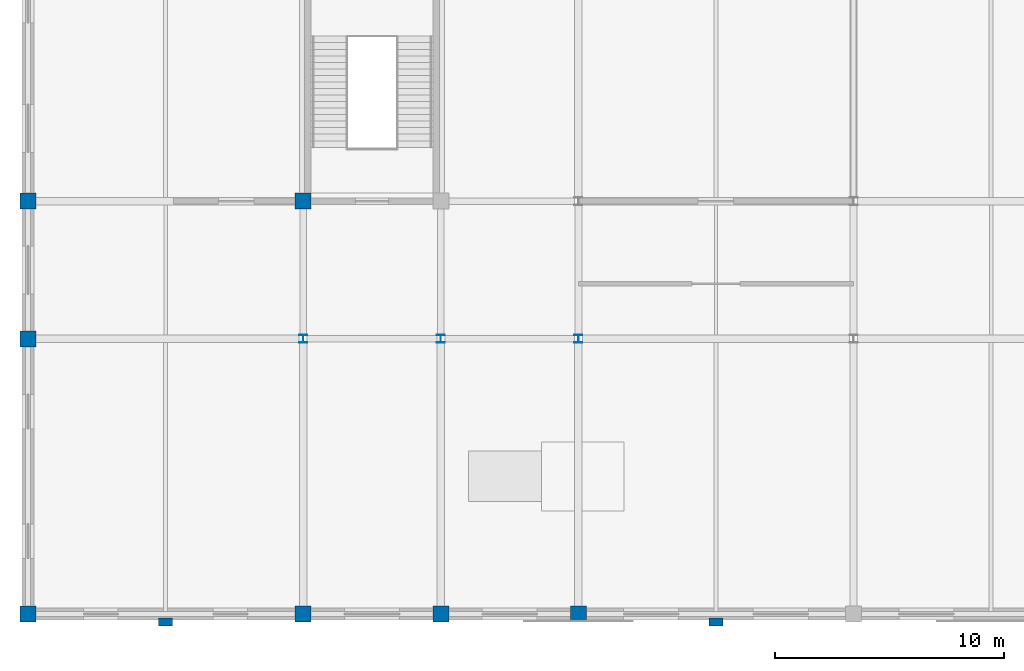
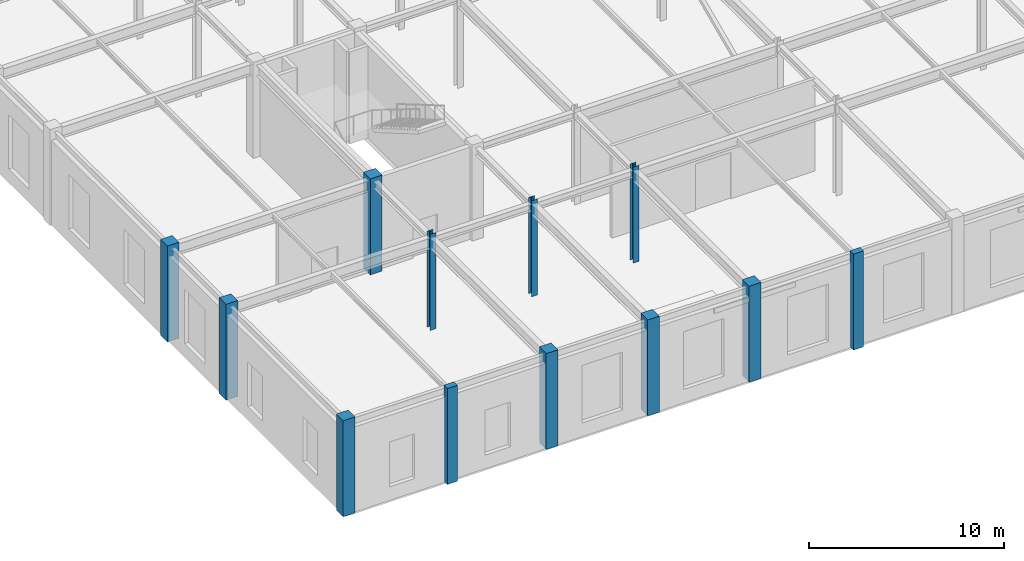
# One storey, part 1 of 51: 12 columns.
"""IFC4 building model written with IfcOpenShell, lengths in metres."""

import ifcopenshell
import ifcopenshell.guid

model = None  # the IFC model being written
_history = None  # IfcOwnerHistory: only IFC2X3 demands one
_inside = {}  # id of a spatial element -> (the spatial element, [elements in it])
_under = {}  # id of a project, library or spatial element -> (it, [spatial elements below it])
_declared = {}  # id of a project -> (the project, [libraries it declares])
_typed = {}  # id of a type object -> (the type object, [elements of that type])
_made_of = {}  # id of a material, layer set ... -> (it, [elements and type objects made of it])


def new_model(schema):
    """Start an empty IFC model of exactly this schema.

    Asked for "IFC4X3", IfcOpenShell would pick the latest addendum, in which some entities
    have other attributes; the version numbers below select the first issue.
    IFC2X3 requires an IfcOwnerHistory on every rooted entity: one is made here for all.
    """
    global model, _history
    if schema == "IFC4X3":
        model = ifcopenshell.file(schema_version=(4, 3, 0, 0))
    else:
        model = ifcopenshell.file(schema=schema)
    _inside.clear()
    _under.clear()
    _declared.clear()
    _typed.clear()
    _made_of.clear()
    _history = None
    if model.schema == "IFC2X3":
        org = make("IfcOrganization", Name="unknown")
        user = make(
            "IfcPersonAndOrganization",
            ThePerson=make("IfcPerson", FamilyName="unknown"),
            TheOrganization=org,
        )
        app = make(
            "IfcApplication",
            ApplicationDeveloper=org,
            Version="unknown",
            ApplicationFullName="unknown",
            ApplicationIdentifier="unknown",
        )
        _history = make(
            "IfcOwnerHistory",
            OwningUser=user,
            OwningApplication=app,
            ChangeAction="ADDED",
            CreationDate=0,
        )
    return model


def make(cls, **values):
    """One entity of the class cls with the attributes given. An attribute that is None is left unset."""
    return model.create_entity(
        cls, **{name: value for name, value in values.items() if value is not None}
    )


def rooted(cls, **values):
    """An entity with a GlobalId (a new one), such as an element, a storey or a relation."""
    return make(cls, GlobalId=ifcopenshell.guid.new(), OwnerHistory=_history, **values)


def si_unit(unit_type, name, prefix=None):
    """IfcSIUnit, for example si_unit("LENGTHUNIT", "METRE", prefix="MILLI")."""
    return make("IfcSIUnit", UnitType=unit_type, Prefix=prefix, Name=name)


def assignment(units):
    """IfcUnitAssignment: the units of a project."""
    return None if units is None else make("IfcUnitAssignment", Units=units)


def point(xyz):
    """IfcCartesianPoint."""
    return None if xyz is None else make("IfcCartesianPoint", Coordinates=xyz)


def direction(xyz):
    """IfcDirection."""
    return None if xyz is None else make("IfcDirection", DirectionRatios=xyz)


def frame(location, z_axis=None, x_axis=None):
    """IfcAxis2Placement3D, a coordinate frame: its origin and axes. An axis left out is left unset."""
    return make(
        "IfcAxis2Placement3D",
        Location=point(location),
        Axis=direction(z_axis),
        RefDirection=direction(x_axis),
    )


def frame_2d(location, x_axis=None):
    """IfcAxis2Placement2D, a coordinate frame in the plane: its origin and x axis."""
    return make(
        "IfcAxis2Placement2D", Location=point(location), RefDirection=direction(x_axis)
    )


def origin():
    """The frame at (0, 0, 0) with its axes left unset."""
    return frame((0.0, 0.0, 0.0))


def origin_2d():
    """The frame at (0, 0) in the plane with its x axis left unset."""
    return frame_2d((0.0, 0.0))


def place(relative_to, where):
    """IfcLocalPlacement: puts the frame where relative to a parent placement (None: the world)."""
    return make(
        "IfcLocalPlacement", PlacementRelTo=relative_to, RelativePlacement=where
    )


def context(
    kind, dimensions, precision=None, world=None, true_north=None, identifier=None
):
    """IfcGeometricRepresentationContext, for example the 3D "Model" context."""
    return make(
        "IfcGeometricRepresentationContext",
        ContextIdentifier=identifier,
        ContextType=kind,
        CoordinateSpaceDimension=dimensions,
        Precision=precision,
        WorldCoordinateSystem=world,
        TrueNorth=true_north,
    )


def subcontext(parent, identifier, kind, view, scale=None):
    """IfcGeometricRepresentationSubContext, for example "Body" below "Model"."""
    return make(
        "IfcGeometricRepresentationSubContext",
        ContextIdentifier=identifier,
        ContextType=kind,
        ParentContext=parent,
        TargetScale=scale,
        TargetView=view,
    )


def project(units=None, contexts=None):
    """IfcProject with its units and contexts."""
    return rooted(
        "IfcProject",
        Name="project",
        RepresentationContexts=contexts,
        UnitsInContext=assignment(units),
    )


def spatial(cls, under=None, at=None, **own):
    """A site, building, storey or space (cls), placed at a placement, below another one or the project."""
    s = rooted(cls, ObjectPlacement=at, **own)
    if under is not None:
        _under.setdefault(under.id(), (under, []))[1].append(s)
    return s


def profile(cls, at=None, kind="AREA", **sizes):
    """A parametric profile (cls). Its sizes go by their IFC names, for example OverallWidth=200.0."""
    return make(cls, ProfileType=kind, Position=at, **sizes)


def rectangle(**sizes):
    """IfcRectangleProfileDef."""
    return profile("IfcRectangleProfileDef", **sizes)


def i_section(**sizes):
    """IfcIShapeProfileDef."""
    return profile("IfcIShapeProfileDef", **sizes)


def extrude(swept, where, along, depth):
    """IfcExtrudedAreaSolid: the profile swept, set in the frame where, extruded along a direction by depth."""
    return make(
        "IfcExtrudedAreaSolid",
        SweptArea=swept,
        Position=where,
        ExtrudedDirection=direction(along),
        Depth=depth,
    )


def shape(context_of_items, identifier, shape_type, items):
    """IfcShapeRepresentation: the items that make up one representation, for example the "Body"."""
    return make(
        "IfcShapeRepresentation",
        ContextOfItems=context_of_items,
        RepresentationIdentifier=identifier,
        RepresentationType=shape_type,
        Items=items,
    )


def material(Name=None, Category=None):
    """IfcMaterial."""
    return make("IfcMaterial", Name=Name, Category=Category)


def material_profile(
    of_material, cross_section, Name=None, Category=None, Priority=None
):
    """IfcMaterialProfile: a cross section and its material."""
    return make(
        "IfcMaterialProfile",
        Name=Name,
        Material=of_material,
        Profile=cross_section,
        Priority=Priority,
        Category=Category,
    )


def profile_set(profiles, Name=None, composite=None):
    """IfcMaterialProfileSet."""
    return make(
        "IfcMaterialProfileSet",
        Name=Name,
        MaterialProfiles=profiles,
        CompositeProfile=composite,
    )


def made_of(thing, what):
    """Note that an element or type object is made of a material, layer set ...; save() writes the relation."""
    if what is not None:
        _made_of.setdefault(what.id(), (what, []))[1].append(thing)
    return thing


def type_object(cls, material=None, **own):
    """A type object (cls), such as IfcWallType, which elements share."""
    return made_of(rooted(cls, **own), material)


def element(
    cls,
    number,
    at=None,
    inside=None,
    cuts=None,
    type_object=None,
    material=None,
    context=None,
    identifier="Body",
    shape_type=None,
    held_by="IfcProductDefinitionShape",
    body=None,
    shapes=None,
    **own,
):
    """One element of the class cls, such as IfcWall. Its Tag is "e" and its number.

    at: its placement. inside: the storey or other place that contains it. cuts: it is an
    opening in that element (IfcRelVoidsElement). A single representation is given by context,
    identifier, shape_type and body (its items); several are given by shapes. held_by: the class
    of the entity that holds the representations. save() writes the other relations.
    """
    e = rooted(cls, Tag="e%d" % number, ObjectPlacement=at, **own)
    if body is not None:
        shapes = [shape(context, identifier, shape_type, body)]
    if shapes is not None:
        e.Representation = make(held_by, Representations=shapes)
    if inside is not None:
        _inside.setdefault(inside.id(), (inside, []))[1].append(e)
    if cuts is not None:
        rooted(
            "IfcRelVoidsElement", RelatingBuildingElement=cuts, RelatedOpeningElement=e
        )
    if type_object is not None:
        _typed.setdefault(type_object.id(), (type_object, []))[1].append(e)
    return made_of(e, material)


def aggregate(whole, parts):
    """IfcRelAggregates: a whole, such as a stair, and the parts it consists of."""
    return rooted("IfcRelAggregates", RelatingObject=whole, RelatedObjects=parts)


def save(model, path):
    """Write the relations noted so far, then the file.

    IfcRelAggregates (storeys below a building ...), IfcRelContainedInSpatialStructure (elements
    in a storey), IfcRelDefinesByType, IfcRelAssociatesMaterial and IfcRelDeclares: one each for
    every whole, place, type object, material and project.
    """
    for whole, parts in _under.values():
        aggregate(whole, parts)
    for where, things in _inside.values():
        rooted(
            "IfcRelContainedInSpatialStructure",
            RelatedElements=things,
            RelatingStructure=where,
        )
    for kind, things in _typed.values():
        rooted("IfcRelDefinesByType", RelatedObjects=things, RelatingType=kind)
    for what, things in _made_of.values():
        rooted("IfcRelAssociatesMaterial", RelatedObjects=things, RelatingMaterial=what)
    for by, libraries in _declared.values():
        rooted("IfcRelDeclares", RelatingContext=by, RelatedDefinitions=libraries)
    model.write(path)


model = new_model("IFC4")

# Units and contexts
model_context = context("Model", 3, precision=1e-05, world=origin(), true_north=direction((0.0, 1.0)))
body_context = subcontext(model_context, "Body", "Model", "MODEL_VIEW")
ifc_project = project(units=[si_unit("LENGTHUNIT", "METRE"), si_unit("AREAUNIT", "SQUARE_METRE"), si_unit("VOLUMEUNIT", "CUBIC_METRE"), si_unit("PLANEANGLEUNIT", "RADIAN"), si_unit("MASSUNIT", "GRAM", prefix="KILO")], contexts=[model_context])

# Site, building, storey
site_placement = place(None, origin())
site = spatial("IfcSite", under=ifc_project, at=site_placement, CompositionType="ELEMENT")
building_placement = place(site_placement, origin())
building = spatial("IfcBuilding", under=site, at=building_placement, Name="Zlatovratsky Civic Hall", CompositionType="ELEMENT")
storey_placement = place(building_placement, origin())
storey = spatial("IfcBuildingStorey", under=building, at=storey_placement, Name="L01", CompositionType="ELEMENT", Elevation=0.0)

# Columns
ifc_material_1 = material(Name="Concrete C35/45 (B40)", Category="concrete")
ifc_material_profile_1 = material_profile(ifc_material_1, rectangle(XDim=0.699951171875, YDim=0.699951171875, at=origin_2d()), Name="RC 700x700")
ifc_profile_set_1 = profile_set([ifc_material_profile_1], Name="Concrete C35/45 (B40)")
column_type_1 = type_object("IfcColumnType", Name="Col_CorePier_RC700", PredefinedType="COLUMN", material=ifc_profile_set_1)
for number, where, z_axis, x_axis, name in (
    (1, (0.0, 0.0, 0.0), (0.0, 0.0, 1.0), (1.0, 0.0, 0.0), "CL-0417"),
    (2, (12.0, 0.0, 0.0), (0.0, 0.0, 1.0), (1.0, 0.0, 0.0), "CL-0418"),
    (3, (18.0, 0.0, 0.0), (0.0, 0.0, 1.0), (1.0, 0.0, 0.0), "CL-0419"),
    (4, (24.0, 0.0, 0.0), (0.0, 0.0, 1.0), (1.0, 0.0, 0.0), "CL-0420"),
    (5, (0.0, 12.0, 0.0), (0.0, 0.0, 1.0), (1.0, 0.0, 0.0), "CL-0431"),
    (6, (0.0, 18.0, 0.0), (0.0, 0.0, 1.0), (1.0, 0.0, 0.0), "CL-0454"),
    (7, (12.0, 18.0, 0.0), (0.0, 0.0, 1.0), (1.0, 0.0, 0.0), "CL-0455"),
):
    element("IfcColumn", number, at=place(storey_placement, frame(where, z_axis=z_axis, x_axis=x_axis)), inside=storey, type_object=column_type_1, Name=name, PredefinedType="COLUMN", context=body_context, shape_type="SweptSolid", body=[
        extrude(rectangle(XDim=0.699951171875, YDim=0.699951171875, at=origin_2d()), origin(), (0.0, 0.0, 1.0), 6.0),
    ])
ifc_material_2 = material(Name="Steel S355", Category="steel")
ifc_material_profile_2 = material_profile(ifc_material_2, i_section(OverallWidth=0.35009765625, OverallDepth=0.343017578125, WebThickness=0.010009765625, FlangeThickness=0.014892578125, FilletRadius=0.02001953125, at=origin_2d()), Name="35K1")
ifc_profile_set_2 = profile_set([ifc_material_profile_2], Name="Steel S355")
column_type_2 = type_object("IfcColumnType", Name="Col_Steel_35K1", PredefinedType="COLUMN", material=ifc_profile_set_2)
for number, where, z_axis, x_axis, name in (
    (8, (12.0, 12.0, 0.0), (0.0, 0.0, 1.0), (1.0, 0.0, 0.0), "CL-0432"),
    (9, (18.0, 12.0, 0.0), (0.0, 0.0, 1.0), (1.0, 0.0, 0.0), "CL-0433"),
    (10, (24.0, 12.0, 0.0), (0.0, 0.0, 1.0), (1.0, 0.0, 0.0), "CL-0434"),
):
    element("IfcColumn", number, at=place(storey_placement, frame(where, z_axis=z_axis, x_axis=x_axis)), inside=storey, type_object=column_type_2, Name=name, PredefinedType="COLUMN", context=body_context, shape_type="SweptSolid", body=[
        extrude(i_section(OverallWidth=0.35009765625, OverallDepth=0.343017578125, WebThickness=0.010009765625, FlangeThickness=0.014892578125, FilletRadius=0.02001953125, at=origin_2d()), origin(), (0.0, 0.0, 1.0), 6.0),
    ])
ifc_material_profile_3 = material_profile(ifc_material_1, rectangle(XDim=0.60009765625, YDim=0.360107421875, at=origin_2d()), Name="RC 600x360")
ifc_profile_set_3 = profile_set([ifc_material_profile_3], Name="Concrete C35/45 (B40)")
column_type_3 = type_object("IfcColumnType", Name="Pilaster_Classical_RC600x360", PredefinedType="PILASTER", material=ifc_profile_set_3)
for number, where, z_axis, x_axis, name in (
    (11, (6.0, -0.35009765625, 0.0), (0.0, 0.0, 1.0), (1.0, 0.0, 0.0), "CL-2723"),
    (12, (30.0, -0.35009765625, 0.0), (0.0, 0.0, 1.0), (1.0, 0.0, 0.0), "CL-2724"),
):
    element("IfcColumn", number, at=place(storey_placement, frame(where, z_axis=z_axis, x_axis=x_axis)), inside=storey, type_object=column_type_3, Name=name, PredefinedType="PILASTER", context=body_context, shape_type="SweptSolid", body=[
        extrude(rectangle(XDim=0.60009765625, YDim=0.360107421875, at=origin_2d()), origin(), (0.0, 0.0, 1.0), 6.0),
    ])

save(model, "model.ifc")
